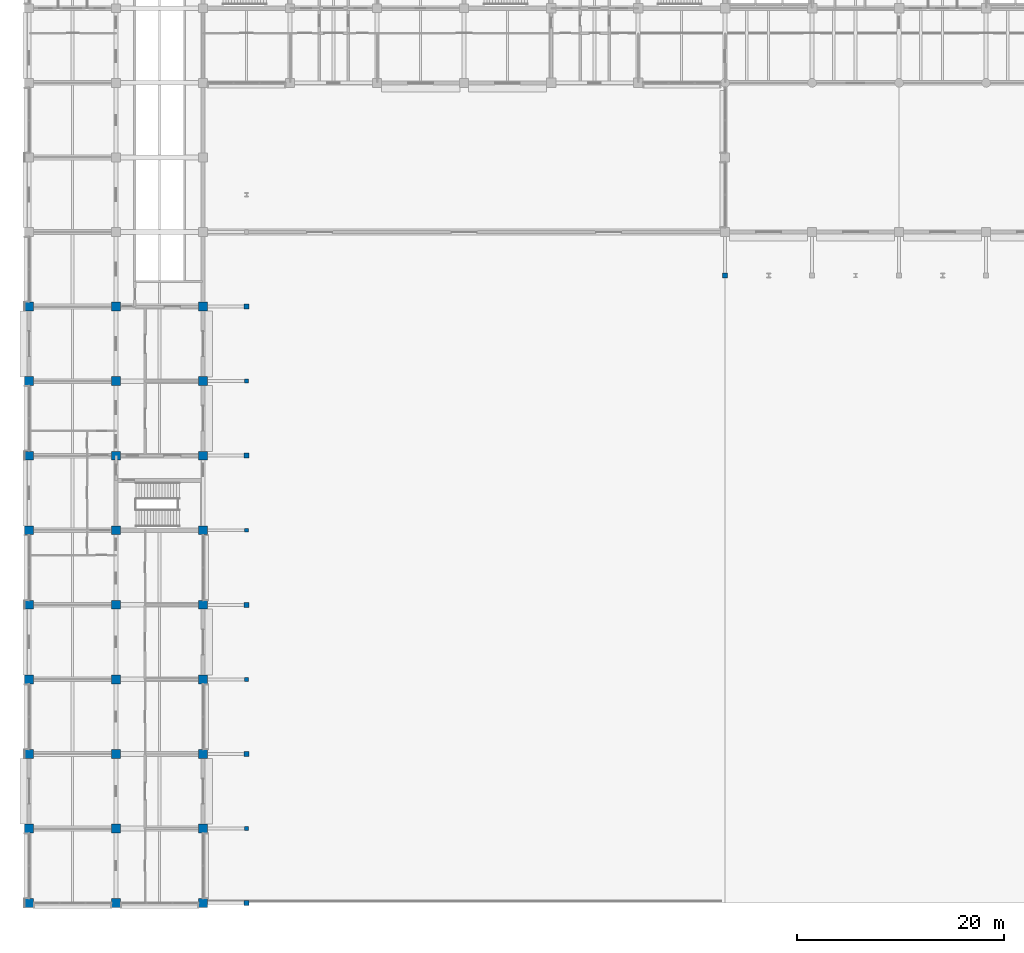
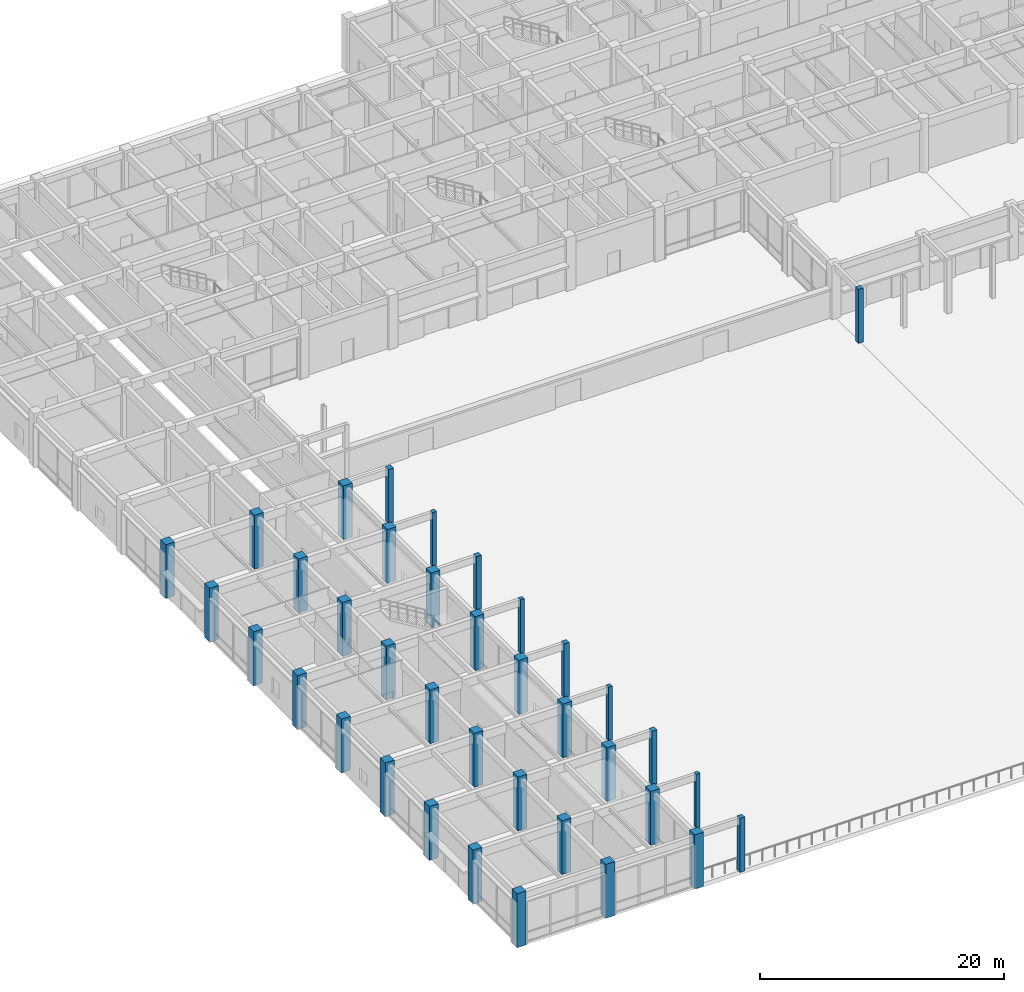
# One storey, part 1 of 73: 37 columns.
"""IFC4 building model written with IfcOpenShell, lengths in metres."""

import ifcopenshell
import ifcopenshell.guid

model = None  # the IFC model being written
_history = None  # IfcOwnerHistory: only IFC2X3 demands one
_inside = {}  # id of a spatial element -> (the spatial element, [elements in it])
_under = {}  # id of a project, library or spatial element -> (it, [spatial elements below it])
_declared = {}  # id of a project -> (the project, [libraries it declares])
_typed = {}  # id of a type object -> (the type object, [elements of that type])
_made_of = {}  # id of a material, layer set ... -> (it, [elements and type objects made of it])


def new_model(schema):
    """Start an empty IFC model of exactly this schema.

    Asked for "IFC4X3", IfcOpenShell would pick the latest addendum, in which some entities
    have other attributes; the version numbers below select the first issue.
    IFC2X3 requires an IfcOwnerHistory on every rooted entity: one is made here for all.
    """
    global model, _history
    if schema == "IFC4X3":
        model = ifcopenshell.file(schema_version=(4, 3, 0, 0))
    else:
        model = ifcopenshell.file(schema=schema)
    _inside.clear()
    _under.clear()
    _declared.clear()
    _typed.clear()
    _made_of.clear()
    _history = None
    if model.schema == "IFC2X3":
        org = make("IfcOrganization", Name="unknown")
        user = make(
            "IfcPersonAndOrganization",
            ThePerson=make("IfcPerson", FamilyName="unknown"),
            TheOrganization=org,
        )
        app = make(
            "IfcApplication",
            ApplicationDeveloper=org,
            Version="unknown",
            ApplicationFullName="unknown",
            ApplicationIdentifier="unknown",
        )
        _history = make(
            "IfcOwnerHistory",
            OwningUser=user,
            OwningApplication=app,
            ChangeAction="ADDED",
            CreationDate=0,
        )
    return model


def make(cls, **values):
    """One entity of the class cls with the attributes given. An attribute that is None is left unset."""
    return model.create_entity(
        cls, **{name: value for name, value in values.items() if value is not None}
    )


def rooted(cls, **values):
    """An entity with a GlobalId (a new one), such as an element, a storey or a relation."""
    return make(cls, GlobalId=ifcopenshell.guid.new(), OwnerHistory=_history, **values)


def si_unit(unit_type, name, prefix=None):
    """IfcSIUnit, for example si_unit("LENGTHUNIT", "METRE", prefix="MILLI")."""
    return make("IfcSIUnit", UnitType=unit_type, Prefix=prefix, Name=name)


def assignment(units):
    """IfcUnitAssignment: the units of a project."""
    return None if units is None else make("IfcUnitAssignment", Units=units)


def point(xyz):
    """IfcCartesianPoint."""
    return None if xyz is None else make("IfcCartesianPoint", Coordinates=xyz)


def direction(xyz):
    """IfcDirection."""
    return None if xyz is None else make("IfcDirection", DirectionRatios=xyz)


def frame(location, z_axis=None, x_axis=None):
    """IfcAxis2Placement3D, a coordinate frame: its origin and axes. An axis left out is left unset."""
    return make(
        "IfcAxis2Placement3D",
        Location=point(location),
        Axis=direction(z_axis),
        RefDirection=direction(x_axis),
    )


def frame_2d(location, x_axis=None):
    """IfcAxis2Placement2D, a coordinate frame in the plane: its origin and x axis."""
    return make(
        "IfcAxis2Placement2D", Location=point(location), RefDirection=direction(x_axis)
    )


def origin():
    """The frame at (0, 0, 0) with its axes left unset."""
    return frame((0.0, 0.0, 0.0))


def origin_2d():
    """The frame at (0, 0) in the plane with its x axis left unset."""
    return frame_2d((0.0, 0.0))


def place(relative_to, where):
    """IfcLocalPlacement: puts the frame where relative to a parent placement (None: the world)."""
    return make(
        "IfcLocalPlacement", PlacementRelTo=relative_to, RelativePlacement=where
    )


def context(
    kind, dimensions, precision=None, world=None, true_north=None, identifier=None
):
    """IfcGeometricRepresentationContext, for example the 3D "Model" context."""
    return make(
        "IfcGeometricRepresentationContext",
        ContextIdentifier=identifier,
        ContextType=kind,
        CoordinateSpaceDimension=dimensions,
        Precision=precision,
        WorldCoordinateSystem=world,
        TrueNorth=true_north,
    )


def subcontext(parent, identifier, kind, view, scale=None):
    """IfcGeometricRepresentationSubContext, for example "Body" below "Model"."""
    return make(
        "IfcGeometricRepresentationSubContext",
        ContextIdentifier=identifier,
        ContextType=kind,
        ParentContext=parent,
        TargetScale=scale,
        TargetView=view,
    )


def project(units=None, contexts=None):
    """IfcProject with its units and contexts."""
    return rooted(
        "IfcProject",
        Name="project",
        RepresentationContexts=contexts,
        UnitsInContext=assignment(units),
    )


def spatial(cls, under=None, at=None, **own):
    """A site, building, storey or space (cls), placed at a placement, below another one or the project."""
    s = rooted(cls, ObjectPlacement=at, **own)
    if under is not None:
        _under.setdefault(under.id(), (under, []))[1].append(s)
    return s


def profile(cls, at=None, kind="AREA", **sizes):
    """A parametric profile (cls). Its sizes go by their IFC names, for example OverallWidth=200.0."""
    return make(cls, ProfileType=kind, Position=at, **sizes)


def rectangle(**sizes):
    """IfcRectangleProfileDef."""
    return profile("IfcRectangleProfileDef", **sizes)


def extrude(swept, where, along, depth):
    """IfcExtrudedAreaSolid: the profile swept, set in the frame where, extruded along a direction by depth."""
    return make(
        "IfcExtrudedAreaSolid",
        SweptArea=swept,
        Position=where,
        ExtrudedDirection=direction(along),
        Depth=depth,
    )


def shape(context_of_items, identifier, shape_type, items):
    """IfcShapeRepresentation: the items that make up one representation, for example the "Body"."""
    return make(
        "IfcShapeRepresentation",
        ContextOfItems=context_of_items,
        RepresentationIdentifier=identifier,
        RepresentationType=shape_type,
        Items=items,
    )


def material(Name=None, Category=None):
    """IfcMaterial."""
    return make("IfcMaterial", Name=Name, Category=Category)


def material_profile(
    of_material, cross_section, Name=None, Category=None, Priority=None
):
    """IfcMaterialProfile: a cross section and its material."""
    return make(
        "IfcMaterialProfile",
        Name=Name,
        Material=of_material,
        Profile=cross_section,
        Priority=Priority,
        Category=Category,
    )


def profile_set(profiles, Name=None, composite=None):
    """IfcMaterialProfileSet."""
    return make(
        "IfcMaterialProfileSet",
        Name=Name,
        MaterialProfiles=profiles,
        CompositeProfile=composite,
    )


def made_of(thing, what):
    """Note that an element or type object is made of a material, layer set ...; save() writes the relation."""
    if what is not None:
        _made_of.setdefault(what.id(), (what, []))[1].append(thing)
    return thing


def type_object(cls, material=None, **own):
    """A type object (cls), such as IfcWallType, which elements share."""
    return made_of(rooted(cls, **own), material)


def element(
    cls,
    number,
    at=None,
    inside=None,
    cuts=None,
    type_object=None,
    material=None,
    context=None,
    identifier="Body",
    shape_type=None,
    held_by="IfcProductDefinitionShape",
    body=None,
    shapes=None,
    **own,
):
    """One element of the class cls, such as IfcWall. Its Tag is "e" and its number.

    at: its placement. inside: the storey or other place that contains it. cuts: it is an
    opening in that element (IfcRelVoidsElement). A single representation is given by context,
    identifier, shape_type and body (its items); several are given by shapes. held_by: the class
    of the entity that holds the representations. save() writes the other relations.
    """
    e = rooted(cls, Tag="e%d" % number, ObjectPlacement=at, **own)
    if body is not None:
        shapes = [shape(context, identifier, shape_type, body)]
    if shapes is not None:
        e.Representation = make(held_by, Representations=shapes)
    if inside is not None:
        _inside.setdefault(inside.id(), (inside, []))[1].append(e)
    if cuts is not None:
        rooted(
            "IfcRelVoidsElement", RelatingBuildingElement=cuts, RelatedOpeningElement=e
        )
    if type_object is not None:
        _typed.setdefault(type_object.id(), (type_object, []))[1].append(e)
    return made_of(e, material)


def aggregate(whole, parts):
    """IfcRelAggregates: a whole, such as a stair, and the parts it consists of."""
    return rooted("IfcRelAggregates", RelatingObject=whole, RelatedObjects=parts)


def save(model, path):
    """Write the relations noted so far, then the file.

    IfcRelAggregates (storeys below a building ...), IfcRelContainedInSpatialStructure (elements
    in a storey), IfcRelDefinesByType, IfcRelAssociatesMaterial and IfcRelDeclares: one each for
    every whole, place, type object, material and project.
    """
    for whole, parts in _under.values():
        aggregate(whole, parts)
    for where, things in _inside.values():
        rooted(
            "IfcRelContainedInSpatialStructure",
            RelatedElements=things,
            RelatingStructure=where,
        )
    for kind, things in _typed.values():
        rooted("IfcRelDefinesByType", RelatedObjects=things, RelatingType=kind)
    for what, things in _made_of.values():
        rooted("IfcRelAssociatesMaterial", RelatedObjects=things, RelatingMaterial=what)
    for by, libraries in _declared.values():
        rooted("IfcRelDeclares", RelatingContext=by, RelatedDefinitions=libraries)
    model.write(path)


model = new_model("IFC4")

# Units and contexts
model_context = context("Model", 3, precision=1e-05, world=origin(), true_north=direction((0.0, 1.0)))
body_context = subcontext(model_context, "Body", "Model", "MODEL_VIEW")
ifc_project = project(units=[si_unit("LENGTHUNIT", "METRE"), si_unit("AREAUNIT", "SQUARE_METRE"), si_unit("VOLUMEUNIT", "CUBIC_METRE"), si_unit("PLANEANGLEUNIT", "RADIAN"), si_unit("MASSUNIT", "GRAM", prefix="KILO")], contexts=[model_context])

# Site, building, storey
site_placement = place(None, origin())
site = spatial("IfcSite", under=ifc_project, at=site_placement, CompositionType="ELEMENT")
building_placement = place(site_placement, origin())
building = spatial("IfcBuilding", under=site, at=building_placement, Name="Chengyuan Square Courthouse", CompositionType="ELEMENT")
storey_placement = place(building_placement, origin())
storey = spatial("IfcBuildingStorey", under=building, at=storey_placement, Name="L01", CompositionType="ELEMENT", Elevation=0.0)

# Columns
ifc_material_1 = material(Name="Concrete C50", Category="concrete")
ifc_material_profile_1 = material_profile(ifc_material_1, rectangle(XDim=0.85009765625, YDim=0.85009765625, at=origin_2d()), Name="RC-COL-850x850")
ifc_profile_set_1 = profile_set([ifc_material_profile_1], Name="Concrete C50")
column_type_1 = type_object("IfcColumnType", Name="CL-03", PredefinedType="COLUMN", material=ifc_profile_set_1)
for number, where, z_axis, x_axis, name in (
    (1, (0.0, 0.0, 0.0), (0.0, 0.0, 1.0), (1.0, 0.0, 0.0), "Column CL-L01-001"),
    (2, (0.0, 7.199951171875, 0.0), (0.0, 0.0, 1.0), (1.0, 0.0, 0.0), "Column CL-L01-002"),
    (3, (0.0, 14.39990234375, 0.0), (0.0, 0.0, 1.0), (1.0, 0.0, 0.0), "Column CL-L01-003"),
    (4, (0.0, 21.60009765625, 0.0), (0.0, 0.0, 1.0), (1.0, 0.0, 0.0), "Column CL-L01-004"),
    (5, (0.0, 28.800048828125, 0.0), (0.0, 0.0, 1.0), (1.0, 0.0, 0.0), "Column CL-L01-005"),
    (6, (0.0, 36.0, 0.0), (0.0, 0.0, 1.0), (1.0, 0.0, 0.0), "Column CL-L01-006"),
    (7, (0.0, 43.199951171875, 0.0), (0.0, 0.0, 1.0), (1.0, 0.0, 0.0), "Column CL-L01-007"),
    (8, (0.0, 50.39990234375, 0.0), (0.0, 0.0, 1.0), (1.0, 0.0, 0.0), "Column CL-L01-008"),
    (9, (0.0, 57.60009765625, 0.0), (0.0, 0.0, 1.0), (1.0, 0.0, 0.0), "Column CL-L01-009"),
    (10, (8.39990234375, 0.0, 0.0), (0.0, 0.0, 1.0), (1.0, 0.0, 0.0), "Column CL-L01-017"),
    (11, (8.39990234375, 7.199951171875, 0.0), (0.0, 0.0, 1.0), (1.0, 0.0, 0.0), "Column CL-L01-018"),
    (12, (8.39990234375, 14.39990234375, 0.0), (0.0, 0.0, 1.0), (1.0, 0.0, 0.0), "Column CL-L01-019"),
    (13, (8.39990234375, 21.60009765625, 0.0), (0.0, 0.0, 1.0), (1.0, 0.0, 0.0), "Column CL-L01-020"),
    (14, (8.39990234375, 28.800048828125, 0.0), (0.0, 0.0, 1.0), (1.0, 0.0, 0.0), "Column CL-L01-021"),
    (15, (8.39990234375, 36.0, 0.0), (0.0, 0.0, 1.0), (1.0, 0.0, 0.0), "Column CL-L01-022"),
    (16, (8.39990234375, 43.199951171875, 0.0), (0.0, 0.0, 1.0), (1.0, 0.0, 0.0), "Column CL-L01-023"),
    (17, (8.39990234375, 50.39990234375, 0.0), (0.0, 0.0, 1.0), (1.0, 0.0, 0.0), "Column CL-L01-024"),
    (18, (8.39990234375, 57.60009765625, 0.0), (0.0, 0.0, 1.0), (1.0, 0.0, 0.0), "Column CL-L01-025"),
    (19, (16.800048828125, 0.0, 0.0), (0.0, 0.0, 1.0), (1.0, 0.0, 0.0), "Column CL-L01-033"),
    (20, (16.800048828125, 7.199951171875, 0.0), (0.0, 0.0, 1.0), (1.0, 0.0, 0.0), "Column CL-L01-034"),
    (21, (16.800048828125, 14.39990234375, 0.0), (0.0, 0.0, 1.0), (1.0, 0.0, 0.0), "Column CL-L01-035"),
    (22, (16.800048828125, 21.60009765625, 0.0), (0.0, 0.0, 1.0), (1.0, 0.0, 0.0), "Column CL-L01-036"),
    (23, (16.800048828125, 28.800048828125, 0.0), (0.0, 0.0, 1.0), (1.0, 0.0, 0.0), "Column CL-L01-037"),
    (24, (16.800048828125, 36.0, 0.0), (0.0, 0.0, 1.0), (1.0, 0.0, 0.0), "Column CL-L01-038"),
    (25, (16.800048828125, 43.199951171875, 0.0), (0.0, 0.0, 1.0), (1.0, 0.0, 0.0), "Column CL-L01-039"),
    (26, (16.800048828125, 50.39990234375, 0.0), (0.0, 0.0, 1.0), (1.0, 0.0, 0.0), "Column CL-L01-040"),
    (27, (16.800048828125, 57.60009765625, 0.0), (0.0, 0.0, 1.0), (1.0, 0.0, 0.0), "Column CL-L01-041"),
):
    element("IfcColumn", number, at=place(storey_placement, frame(where, z_axis=z_axis, x_axis=x_axis)), inside=storey, type_object=column_type_1, Name=name, PredefinedType="COLUMN", context=body_context, shape_type="SweptSolid", body=[
        extrude(rectangle(XDim=0.85009765625, YDim=0.85009765625, at=origin_2d()), origin(), (0.0, 0.0, 1.0), 5.39990234375),
    ])
ifc_material_2 = material(Name="Glulam TCt28", Category="wood")
ifc_material_profile_2 = material_profile(ifc_material_2, rectangle(XDim=0.47998046875, YDim=0.47998046875, at=origin_2d()), Name="GL-COL-480x480")
ifc_profile_set_2 = profile_set([ifc_material_profile_2], Name="Glulam TCt28")
column_type_2 = type_object("IfcColumnType", Name="GL-01", PredefinedType="COLUMN", material=ifc_profile_set_2)
for number, where, z_axis, x_axis, name in (
    (28, (21.0, 0.0, 0.0), (0.0, 0.0, 1.0), (1.0, 0.0, 0.0), "Glulam Colonnade Column GLC-L01-001"),
    (29, (21.0, 14.39990234375, 0.0), (0.0, 0.0, 1.0), (1.0, 0.0, 0.0), "Glulam Colonnade Column GLC-L01-005"),
    (30, (21.0, 28.800048828125, 0.0), (0.0, 0.0, 1.0), (1.0, 0.0, 0.0), "Glulam Colonnade Column GLC-L01-009"),
    (31, (21.0, 43.199951171875, 0.0), (0.0, 0.0, 1.0), (1.0, 0.0, 0.0), "Glulam Colonnade Column GLC-L01-013"),
    (32, (21.0, 57.60009765625, 0.0), (0.0, 0.0, 1.0), (1.0, 0.0, 0.0), "Glulam Colonnade Column GLC-L01-017"),
    (33, (67.199951171875, 60.60009765625, 0.0), (0.0, 0.0, 1.0), (1.0, 0.0, 0.0), "Glulam Colonnade Column GLC-L01-021"),
):
    element("IfcColumn", number, at=place(storey_placement, frame(where, z_axis=z_axis, x_axis=x_axis)), inside=storey, type_object=column_type_2, Name=name, PredefinedType="COLUMN", context=body_context, shape_type="SweptSolid", body=[
        extrude(rectangle(XDim=0.47998046875, YDim=0.47998046875, at=origin_2d()), origin(), (0.0, 0.0, 1.0), 5.39990234375),
    ])
ifc_material_profile_3 = material_profile(ifc_material_2, rectangle(XDim=0.3798828125, YDim=0.3798828125, at=origin_2d()), Name="GL-COL-380x380")
ifc_profile_set_3 = profile_set([ifc_material_profile_3], Name="Glulam TCt28")
column_type_3 = type_object("IfcColumnType", Name="GL-02", PredefinedType="COLUMN", material=ifc_profile_set_3)
for number, where, z_axis, x_axis, name in (
    (34, (21.0, 7.199951171875, 0.0), (0.0, 0.0, 1.0), (1.0, 0.0, 0.0), "Glulam Colonnade Column GLC-L01-003"),
    (35, (21.0, 21.60009765625, 0.0), (0.0, 0.0, 1.0), (1.0, 0.0, 0.0), "Glulam Colonnade Column GLC-L01-007"),
    (36, (21.0, 36.0, 0.0), (0.0, 0.0, 1.0), (1.0, 0.0, 0.0), "Glulam Colonnade Column GLC-L01-011"),
    (37, (21.0, 50.39990234375, 0.0), (0.0, 0.0, 1.0), (1.0, 0.0, 0.0), "Glulam Colonnade Column GLC-L01-015"),
):
    element("IfcColumn", number, at=place(storey_placement, frame(where, z_axis=z_axis, x_axis=x_axis)), inside=storey, type_object=column_type_3, Name=name, PredefinedType="COLUMN", context=body_context, shape_type="SweptSolid", body=[
        extrude(rectangle(XDim=0.3798828125, YDim=0.3798828125, at=origin_2d()), origin(), (0.0, 0.0, 1.0), 5.39990234375),
    ])

save(model, "model.ifc")
